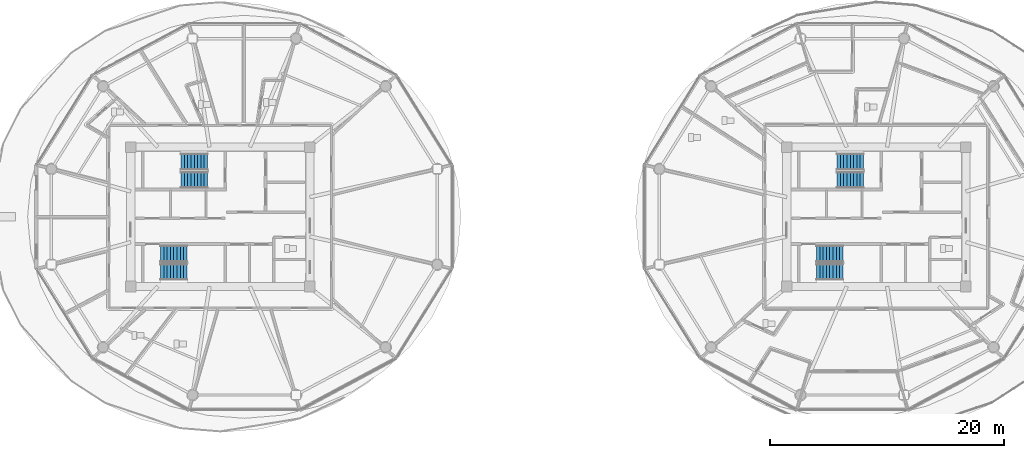
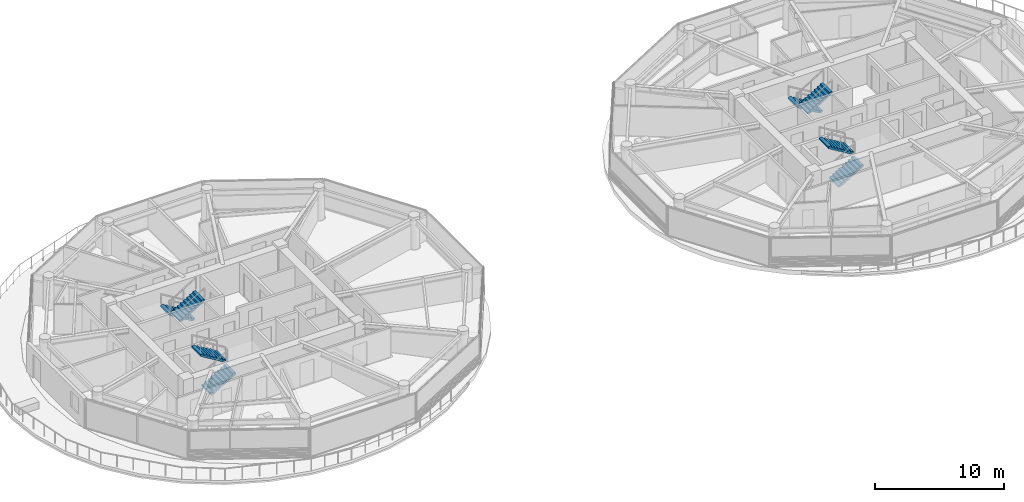
# One storey, part 21 of 32: 8 stair flights, 4 elements without a shape of their own.
"""IFC4 building model written with IfcOpenShell, lengths in metres."""

import ifcopenshell
import ifcopenshell.guid

model = None  # the IFC model being written
_history = None  # IfcOwnerHistory: only IFC2X3 demands one
_inside = {}  # id of a spatial element -> (the spatial element, [elements in it])
_under = {}  # id of a project, library or spatial element -> (it, [spatial elements below it])
_declared = {}  # id of a project -> (the project, [libraries it declares])
_typed = {}  # id of a type object -> (the type object, [elements of that type])
_made_of = {}  # id of a material, layer set ... -> (it, [elements and type objects made of it])


def new_model(schema):
    """Start an empty IFC model of exactly this schema.

    Asked for "IFC4X3", IfcOpenShell would pick the latest addendum, in which some entities
    have other attributes; the version numbers below select the first issue.
    IFC2X3 requires an IfcOwnerHistory on every rooted entity: one is made here for all.
    """
    global model, _history
    if schema == "IFC4X3":
        model = ifcopenshell.file(schema_version=(4, 3, 0, 0))
    else:
        model = ifcopenshell.file(schema=schema)
    _inside.clear()
    _under.clear()
    _declared.clear()
    _typed.clear()
    _made_of.clear()
    _history = None
    if model.schema == "IFC2X3":
        org = make("IfcOrganization", Name="unknown")
        user = make(
            "IfcPersonAndOrganization",
            ThePerson=make("IfcPerson", FamilyName="unknown"),
            TheOrganization=org,
        )
        app = make(
            "IfcApplication",
            ApplicationDeveloper=org,
            Version="unknown",
            ApplicationFullName="unknown",
            ApplicationIdentifier="unknown",
        )
        _history = make(
            "IfcOwnerHistory",
            OwningUser=user,
            OwningApplication=app,
            ChangeAction="ADDED",
            CreationDate=0,
        )
    return model


def make(cls, **values):
    """One entity of the class cls with the attributes given. An attribute that is None is left unset."""
    return model.create_entity(
        cls, **{name: value for name, value in values.items() if value is not None}
    )


def rooted(cls, **values):
    """An entity with a GlobalId (a new one), such as an element, a storey or a relation."""
    return make(cls, GlobalId=ifcopenshell.guid.new(), OwnerHistory=_history, **values)


def si_unit(unit_type, name, prefix=None):
    """IfcSIUnit, for example si_unit("LENGTHUNIT", "METRE", prefix="MILLI")."""
    return make("IfcSIUnit", UnitType=unit_type, Prefix=prefix, Name=name)


def assignment(units):
    """IfcUnitAssignment: the units of a project."""
    return None if units is None else make("IfcUnitAssignment", Units=units)


def point(xyz):
    """IfcCartesianPoint."""
    return None if xyz is None else make("IfcCartesianPoint", Coordinates=xyz)


def direction(xyz):
    """IfcDirection."""
    return None if xyz is None else make("IfcDirection", DirectionRatios=xyz)


def frame(location, z_axis=None, x_axis=None):
    """IfcAxis2Placement3D, a coordinate frame: its origin and axes. An axis left out is left unset."""
    return make(
        "IfcAxis2Placement3D",
        Location=point(location),
        Axis=direction(z_axis),
        RefDirection=direction(x_axis),
    )


def origin():
    """The frame at (0, 0, 0) with its axes left unset."""
    return frame((0.0, 0.0, 0.0))


def place(relative_to, where):
    """IfcLocalPlacement: puts the frame where relative to a parent placement (None: the world)."""
    return make(
        "IfcLocalPlacement", PlacementRelTo=relative_to, RelativePlacement=where
    )


def context(
    kind, dimensions, precision=None, world=None, true_north=None, identifier=None
):
    """IfcGeometricRepresentationContext, for example the 3D "Model" context."""
    return make(
        "IfcGeometricRepresentationContext",
        ContextIdentifier=identifier,
        ContextType=kind,
        CoordinateSpaceDimension=dimensions,
        Precision=precision,
        WorldCoordinateSystem=world,
        TrueNorth=true_north,
    )


def subcontext(parent, identifier, kind, view, scale=None):
    """IfcGeometricRepresentationSubContext, for example "Body" below "Model"."""
    return make(
        "IfcGeometricRepresentationSubContext",
        ContextIdentifier=identifier,
        ContextType=kind,
        ParentContext=parent,
        TargetScale=scale,
        TargetView=view,
    )


def project(units=None, contexts=None):
    """IfcProject with its units and contexts."""
    return rooted(
        "IfcProject",
        Name="project",
        RepresentationContexts=contexts,
        UnitsInContext=assignment(units),
    )


def spatial(cls, under=None, at=None, **own):
    """A site, building, storey or space (cls), placed at a placement, below another one or the project."""
    s = rooted(cls, ObjectPlacement=at, **own)
    if under is not None:
        _under.setdefault(under.id(), (under, []))[1].append(s)
    return s


def polyline(points):
    """IfcPolyline through the points."""
    return make("IfcPolyline", Points=[point(p) for p in points])


def outline(outer, holes=None, kind="AREA"):
    """IfcArbitraryClosedProfileDef: a profile drawn as a closed curve; with holes, ...WithVoids."""
    if holes is None:
        return make("IfcArbitraryClosedProfileDef", ProfileType=kind, OuterCurve=outer)
    return make(
        "IfcArbitraryProfileDefWithVoids",
        ProfileType=kind,
        OuterCurve=outer,
        InnerCurves=holes,
    )


def extrude(swept, where, along, depth):
    """IfcExtrudedAreaSolid: the profile swept, set in the frame where, extruded along a direction by depth."""
    return make(
        "IfcExtrudedAreaSolid",
        SweptArea=swept,
        Position=where,
        ExtrudedDirection=direction(along),
        Depth=depth,
    )


def shape(context_of_items, identifier, shape_type, items):
    """IfcShapeRepresentation: the items that make up one representation, for example the "Body"."""
    return make(
        "IfcShapeRepresentation",
        ContextOfItems=context_of_items,
        RepresentationIdentifier=identifier,
        RepresentationType=shape_type,
        Items=items,
    )


def material(Name=None, Category=None):
    """IfcMaterial."""
    return make("IfcMaterial", Name=Name, Category=Category)


def made_of(thing, what):
    """Note that an element or type object is made of a material, layer set ...; save() writes the relation."""
    if what is not None:
        _made_of.setdefault(what.id(), (what, []))[1].append(thing)
    return thing


def type_object(cls, material=None, **own):
    """A type object (cls), such as IfcWallType, which elements share."""
    return made_of(rooted(cls, **own), material)


def element(
    cls,
    number,
    at=None,
    inside=None,
    cuts=None,
    type_object=None,
    material=None,
    context=None,
    identifier="Body",
    shape_type=None,
    held_by="IfcProductDefinitionShape",
    body=None,
    shapes=None,
    **own,
):
    """One element of the class cls, such as IfcWall. Its Tag is "e" and its number.

    at: its placement. inside: the storey or other place that contains it. cuts: it is an
    opening in that element (IfcRelVoidsElement). A single representation is given by context,
    identifier, shape_type and body (its items); several are given by shapes. held_by: the class
    of the entity that holds the representations. save() writes the other relations.
    """
    e = rooted(cls, Tag="e%d" % number, ObjectPlacement=at, **own)
    if body is not None:
        shapes = [shape(context, identifier, shape_type, body)]
    if shapes is not None:
        e.Representation = make(held_by, Representations=shapes)
    if inside is not None:
        _inside.setdefault(inside.id(), (inside, []))[1].append(e)
    if cuts is not None:
        rooted(
            "IfcRelVoidsElement", RelatingBuildingElement=cuts, RelatedOpeningElement=e
        )
    if type_object is not None:
        _typed.setdefault(type_object.id(), (type_object, []))[1].append(e)
    return made_of(e, material)


def aggregate(whole, parts):
    """IfcRelAggregates: a whole, such as a stair, and the parts it consists of."""
    return rooted("IfcRelAggregates", RelatingObject=whole, RelatedObjects=parts)


def save(model, path):
    """Write the relations noted so far, then the file.

    IfcRelAggregates (storeys below a building ...), IfcRelContainedInSpatialStructure (elements
    in a storey), IfcRelDefinesByType, IfcRelAssociatesMaterial and IfcRelDeclares: one each for
    every whole, place, type object, material and project.
    """
    for whole, parts in _under.values():
        aggregate(whole, parts)
    for where, things in _inside.values():
        rooted(
            "IfcRelContainedInSpatialStructure",
            RelatedElements=things,
            RelatingStructure=where,
        )
    for kind, things in _typed.values():
        rooted("IfcRelDefinesByType", RelatedObjects=things, RelatingType=kind)
    for what, things in _made_of.values():
        rooted("IfcRelAssociatesMaterial", RelatedObjects=things, RelatingMaterial=what)
    for by, libraries in _declared.values():
        rooted("IfcRelDeclares", RelatingContext=by, RelatedDefinitions=libraries)
    model.write(path)


model = new_model("IFC4")

# Units and contexts
model_context = context("Model", 3, precision=1e-05, world=origin(), true_north=direction((0.0, 1.0)))
body_context = subcontext(model_context, "Body", "Model", "MODEL_VIEW")
ifc_project = project(units=[si_unit("LENGTHUNIT", "METRE"), si_unit("AREAUNIT", "SQUARE_METRE"), si_unit("VOLUMEUNIT", "CUBIC_METRE"), si_unit("PLANEANGLEUNIT", "RADIAN"), si_unit("MASSUNIT", "GRAM", prefix="KILO")], contexts=[model_context])

# Site, building, storey
site_placement = place(None, origin())
site = spatial("IfcSite", under=ifc_project, at=site_placement, CompositionType="ELEMENT")
building_placement = place(site_placement, origin())
building = spatial("IfcBuilding", under=site, at=building_placement, Name="Norrkilde Senior Care Towers", CompositionType="ELEMENT")
storey_placement = place(building_placement, frame((0.0, 0.0, 77.949951171875)))
storey = spatial("IfcBuildingStorey", under=building, at=storey_placement, Name="L23", CompositionType="ELEMENT", Elevation=77.949951171875)

# Stair, stair flights
ifc_material = material(Name="Concrete C45/55", Category="concrete")
stair_type = type_object("IfcStairType", Name="Core Protected Dogleg Stair Typical 3050", PredefinedType="HALF_TURN_STAIR", material=ifc_material)
stair_1_placement = place(storey_placement, origin())
stair_1 = element("IfcStair", 1, at=stair_1_placement, inside=storey, type_object=stair_type, Name="L23 Protected Core Stair W1", PredefinedType="HALF_TURN_STAIR")
stair_flight_type = type_object("IfcStairFlightType", Name="Core Protected Dogleg Stair Typical 3050 Flight", PredefinedType="STRAIGHT", material=ifc_material)
stair_flight_1_placement = place(storey_placement, frame((-29.10009765625, 4.699951171875, 0.0), z_axis=(0.0, 0.0, 1.0), x_axis=(-1.0, 0.0, 0.0)))
stair_flight_1 = element("IfcStairFlight", 2, at=stair_flight_1_placement, type_object=stair_flight_type, Name="ST-W1 flight 1", NumberOfRisers=9, NumberOfTreads=8, PredefinedType="STRAIGHT", RiserHeight=0.169444444, TreadLength=0.28, context=body_context, shape_type="SweptSolid", body=[
    extrude(outline(polyline([(0.0, 0.0), (0.0, 0.16943359375), (0.280029296875, 0.16943359375), (0.280029296875, 0.3388671875), (0.56005859375, 0.3388671875), (0.56005859375, 0.50830078125), (0.840087890625, 0.50830078125), (0.840087890625, 0.677734375), (1.1201171875, 0.677734375), (1.1201171875, 0.84716796875), (1.39990234375, 0.84716796875), (1.39990234375, 1.0166015625), (1.679931640625, 1.0166015625), (1.679931640625, 1.18603515625), (1.9599609375, 1.18603515625), (1.9599609375, 1.35546875), (2.239990234375, 1.35546875), (2.239990234375, 1.52490234375), (2.239990234375, 1.180419921875), (0.28955078125, 0.0), (0.0, 0.0)])), frame((0.0, 0.699951171875, 0.0), z_axis=(0.0, -1.0, 0.0), x_axis=(1.0, 0.0, 0.0)), (0.0, 0.0, 1.0), 1.39990234375),
])
stair_flight_2_placement = place(storey_placement, frame((-31.340087890625, 3.14990234375, 1.525146484375), z_axis=(0.0, 0.0, 1.0), x_axis=(1.0, 0.0, 0.0)))
stair_flight_2 = element("IfcStairFlight", 3, at=stair_flight_2_placement, type_object=stair_flight_type, Name="ST-W1 flight 2", NumberOfRisers=9, NumberOfTreads=8, PredefinedType="STRAIGHT", RiserHeight=0.169444444, TreadLength=0.28, context=body_context, shape_type="SweptSolid", body=[
    extrude(outline(polyline([(0.0, 0.0), (0.0, 0.16943359375), (0.280029296875, 0.16943359375), (0.280029296875, 0.3388671875), (0.56005859375, 0.3388671875), (0.56005859375, 0.50830078125), (0.840087890625, 0.50830078125), (0.840087890625, 0.677734375), (1.1201171875, 0.677734375), (1.1201171875, 0.84716796875), (1.39990234375, 0.84716796875), (1.39990234375, 1.0166015625), (1.679931640625, 1.0166015625), (1.679931640625, 1.18603515625), (1.9599609375, 1.18603515625), (1.9599609375, 1.35546875), (2.239990234375, 1.35546875), (2.239990234375, 1.52490234375), (2.239990234375, 1.180419921875), (0.28955078125, 0.0), (0.0, 0.0)])), frame((0.0, 0.699951171875, 0.0), z_axis=(0.0, -1.0, 0.0), x_axis=(1.0, 0.0, 0.0)), (0.0, 0.0, 1.0), 1.39990234375),
])
aggregate(stair_1, [stair_flight_1, stair_flight_2])

stair_2_placement = place(storey_placement, origin())
stair_2 = element("IfcStair", 4, at=stair_2_placement, inside=storey, type_object=stair_type, Name="L23 Protected Core Stair W2", PredefinedType="HALF_TURN_STAIR")
stair_flight_3_placement = place(storey_placement, frame((-33.10009765625, -4.699951171875, 0.0), z_axis=(0.0, 0.0, 1.0), x_axis=(1.0, 0.0, 0.0)))
stair_flight_3 = element("IfcStairFlight", 5, at=stair_flight_3_placement, type_object=stair_flight_type, Name="ST-W2 flight 1", NumberOfRisers=9, NumberOfTreads=8, PredefinedType="STRAIGHT", RiserHeight=0.169444444, TreadLength=0.28, context=body_context, shape_type="SweptSolid", body=[
    extrude(outline(polyline([(0.0, 0.0), (0.0, 0.16943359375), (0.280029296875, 0.16943359375), (0.280029296875, 0.3388671875), (0.56005859375, 0.3388671875), (0.56005859375, 0.50830078125), (0.840087890625, 0.50830078125), (0.840087890625, 0.677734375), (1.1201171875, 0.677734375), (1.1201171875, 0.84716796875), (1.39990234375, 0.84716796875), (1.39990234375, 1.0166015625), (1.679931640625, 1.0166015625), (1.679931640625, 1.18603515625), (1.9599609375, 1.18603515625), (1.9599609375, 1.35546875), (2.239990234375, 1.35546875), (2.239990234375, 1.52490234375), (2.239990234375, 1.180419921875), (0.28955078125, 0.0), (0.0, 0.0)])), frame((0.0, 0.699951171875, 0.0), z_axis=(0.0, -1.0, 0.0), x_axis=(1.0, 0.0, 0.0)), (0.0, 0.0, 1.0), 1.39990234375),
])
stair_flight_4_placement = place(storey_placement, frame((-30.860107421875, -3.14990234375, 1.525146484375), z_axis=(0.0, 0.0, 1.0), x_axis=(-1.0, 0.0, 0.0)))
stair_flight_4 = element("IfcStairFlight", 6, at=stair_flight_4_placement, type_object=stair_flight_type, Name="ST-W2 flight 2", NumberOfRisers=9, NumberOfTreads=8, PredefinedType="STRAIGHT", RiserHeight=0.169444444, TreadLength=0.28, context=body_context, shape_type="SweptSolid", body=[
    extrude(outline(polyline([(0.0, 0.0), (0.0, 0.16943359375), (0.280029296875, 0.16943359375), (0.280029296875, 0.3388671875), (0.56005859375, 0.3388671875), (0.56005859375, 0.50830078125), (0.840087890625, 0.50830078125), (0.840087890625, 0.677734375), (1.1201171875, 0.677734375), (1.1201171875, 0.84716796875), (1.39990234375, 0.84716796875), (1.39990234375, 1.0166015625), (1.679931640625, 1.0166015625), (1.679931640625, 1.18603515625), (1.9599609375, 1.18603515625), (1.9599609375, 1.35546875), (2.239990234375, 1.35546875), (2.239990234375, 1.52490234375), (2.239990234375, 1.180419921875), (0.28955078125, 0.0), (0.0, 0.0)])), frame((0.0, 0.699951171875, 0.0), z_axis=(0.0, -1.0, 0.0), x_axis=(1.0, 0.0, 0.0)), (0.0, 0.0, 1.0), 1.39990234375),
])
aggregate(stair_2, [stair_flight_3, stair_flight_4])

stair_3_placement = place(storey_placement, origin())
stair_3 = element("IfcStair", 7, at=stair_3_placement, inside=storey, type_object=stair_type, Name="L23 Protected Core Stair E1", PredefinedType="HALF_TURN_STAIR")
stair_flight_5_placement = place(storey_placement, frame((26.89990234375, 4.699951171875, 0.0), z_axis=(0.0, 0.0, 1.0), x_axis=(-1.0, 0.0, 0.0)))
stair_flight_5 = element("IfcStairFlight", 8, at=stair_flight_5_placement, type_object=stair_flight_type, Name="ST-E1 flight 1", NumberOfRisers=9, NumberOfTreads=8, PredefinedType="STRAIGHT", RiserHeight=0.169444444, TreadLength=0.28, context=body_context, shape_type="SweptSolid", body=[
    extrude(outline(polyline([(0.0, 0.0), (0.0, 0.16943359375), (0.280029296875, 0.16943359375), (0.280029296875, 0.3388671875), (0.56005859375, 0.3388671875), (0.56005859375, 0.50830078125), (0.840087890625, 0.50830078125), (0.840087890625, 0.677734375), (1.1201171875, 0.677734375), (1.1201171875, 0.84716796875), (1.39990234375, 0.84716796875), (1.39990234375, 1.0166015625), (1.679931640625, 1.0166015625), (1.679931640625, 1.18603515625), (1.9599609375, 1.18603515625), (1.9599609375, 1.35546875), (2.239990234375, 1.35546875), (2.239990234375, 1.52490234375), (2.239990234375, 1.180419921875), (0.28955078125, 0.0), (0.0, 0.0)])), frame((0.0, 0.699951171875, 0.0), z_axis=(0.0, -1.0, 0.0), x_axis=(1.0, 0.0, 0.0)), (0.0, 0.0, 1.0), 1.39990234375),
])
stair_flight_6_placement = place(storey_placement, frame((24.659912109375, 3.14990234375, 1.525146484375), z_axis=(0.0, 0.0, 1.0), x_axis=(1.0, 0.0, 0.0)))
stair_flight_6 = element("IfcStairFlight", 9, at=stair_flight_6_placement, type_object=stair_flight_type, Name="ST-E1 flight 2", NumberOfRisers=9, NumberOfTreads=8, PredefinedType="STRAIGHT", RiserHeight=0.169444444, TreadLength=0.28, context=body_context, shape_type="SweptSolid", body=[
    extrude(outline(polyline([(0.0, 0.0), (0.0, 0.16943359375), (0.280029296875, 0.16943359375), (0.280029296875, 0.3388671875), (0.56005859375, 0.3388671875), (0.56005859375, 0.50830078125), (0.840087890625, 0.50830078125), (0.840087890625, 0.677734375), (1.1201171875, 0.677734375), (1.1201171875, 0.84716796875), (1.39990234375, 0.84716796875), (1.39990234375, 1.0166015625), (1.679931640625, 1.0166015625), (1.679931640625, 1.18603515625), (1.9599609375, 1.18603515625), (1.9599609375, 1.35546875), (2.239990234375, 1.35546875), (2.239990234375, 1.52490234375), (2.239990234375, 1.180419921875), (0.28955078125, 0.0), (0.0, 0.0)])), frame((0.0, 0.699951171875, 0.0), z_axis=(0.0, -1.0, 0.0), x_axis=(1.0, 0.0, 0.0)), (0.0, 0.0, 1.0), 1.39990234375),
])
aggregate(stair_3, [stair_flight_5, stair_flight_6])

stair_4_placement = place(storey_placement, origin())
stair_4 = element("IfcStair", 10, at=stair_4_placement, inside=storey, type_object=stair_type, Name="L23 Protected Core Stair E2", PredefinedType="HALF_TURN_STAIR")
stair_flight_7_placement = place(storey_placement, frame((22.89990234375, -4.699951171875, 0.0), z_axis=(0.0, 0.0, 1.0), x_axis=(1.0, 0.0, 0.0)))
stair_flight_7 = element("IfcStairFlight", 11, at=stair_flight_7_placement, type_object=stair_flight_type, Name="ST-E2 flight 1", NumberOfRisers=9, NumberOfTreads=8, PredefinedType="STRAIGHT", RiserHeight=0.169444444, TreadLength=0.28, context=body_context, shape_type="SweptSolid", body=[
    extrude(outline(polyline([(0.0, 0.0), (0.0, 0.16943359375), (0.280029296875, 0.16943359375), (0.280029296875, 0.3388671875), (0.56005859375, 0.3388671875), (0.56005859375, 0.50830078125), (0.840087890625, 0.50830078125), (0.840087890625, 0.677734375), (1.1201171875, 0.677734375), (1.1201171875, 0.84716796875), (1.39990234375, 0.84716796875), (1.39990234375, 1.0166015625), (1.679931640625, 1.0166015625), (1.679931640625, 1.18603515625), (1.9599609375, 1.18603515625), (1.9599609375, 1.35546875), (2.239990234375, 1.35546875), (2.239990234375, 1.52490234375), (2.239990234375, 1.180419921875), (0.28955078125, 0.0), (0.0, 0.0)])), frame((0.0, 0.699951171875, 0.0), z_axis=(0.0, -1.0, 0.0), x_axis=(1.0, 0.0, 0.0)), (0.0, 0.0, 1.0), 1.39990234375),
])
stair_flight_8_placement = place(storey_placement, frame((25.139892578125, -3.14990234375, 1.525146484375), z_axis=(0.0, 0.0, 1.0), x_axis=(-1.0, 0.0, 0.0)))
stair_flight_8 = element("IfcStairFlight", 12, at=stair_flight_8_placement, type_object=stair_flight_type, Name="ST-E2 flight 2", NumberOfRisers=9, NumberOfTreads=8, PredefinedType="STRAIGHT", RiserHeight=0.169444444, TreadLength=0.28, context=body_context, shape_type="SweptSolid", body=[
    extrude(outline(polyline([(0.0, 0.0), (0.0, 0.16943359375), (0.280029296875, 0.16943359375), (0.280029296875, 0.3388671875), (0.56005859375, 0.3388671875), (0.56005859375, 0.50830078125), (0.840087890625, 0.50830078125), (0.840087890625, 0.677734375), (1.1201171875, 0.677734375), (1.1201171875, 0.84716796875), (1.39990234375, 0.84716796875), (1.39990234375, 1.0166015625), (1.679931640625, 1.0166015625), (1.679931640625, 1.18603515625), (1.9599609375, 1.18603515625), (1.9599609375, 1.35546875), (2.239990234375, 1.35546875), (2.239990234375, 1.52490234375), (2.239990234375, 1.180419921875), (0.28955078125, 0.0), (0.0, 0.0)])), frame((0.0, 0.699951171875, 0.0), z_axis=(0.0, -1.0, 0.0), x_axis=(1.0, 0.0, 0.0)), (0.0, 0.0, 1.0), 1.39990234375),
])
aggregate(stair_4, [stair_flight_7, stair_flight_8])

save(model, "model.ifc")
